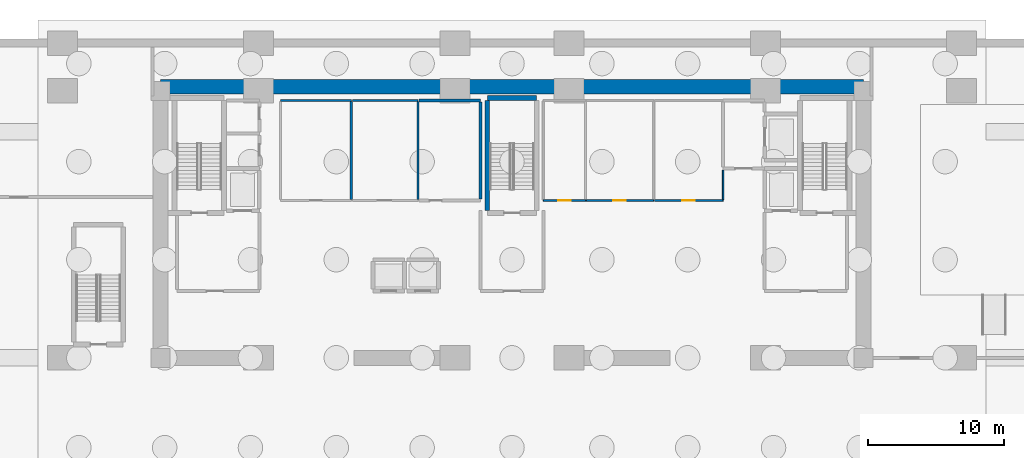
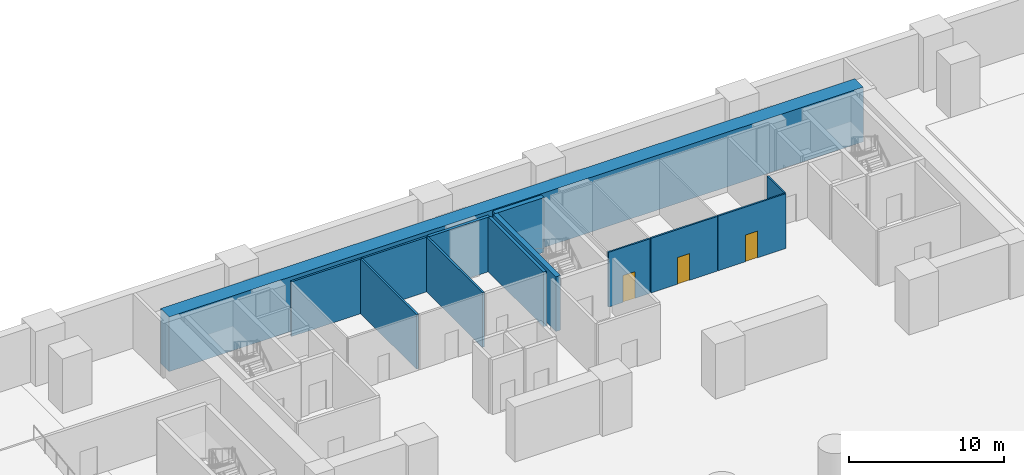
# One storey, part 4 of 10: 13 walls, 3 doors, 3 openings.
"""IFC4 building model written with IfcOpenShell, lengths in metres."""

from ifc_helpers import new_model, si_unit, direction, frame, frame_2d, origin, place, context, subcontext, project, spatial, rectangle, extrude, material, layer, layer_set, type_object, element, fill, save


model = new_model("IFC4")

# Units and contexts
model_context = context("Model", 3, precision=1e-05, world=origin(), true_north=direction((0.0, 1.0)))
body_context = subcontext(model_context, "Body", "Model", "MODEL_VIEW")
ifc_project = project(units=[si_unit("LENGTHUNIT", "METRE"), si_unit("AREAUNIT", "SQUARE_METRE"), si_unit("VOLUMEUNIT", "CUBIC_METRE"), si_unit("PLANEANGLEUNIT", "RADIAN"), si_unit("MASSUNIT", "GRAM", prefix="KILO")], contexts=[model_context])

# Site, building, storey
site_placement = place(None, origin())
site = spatial("IfcSite", under=ifc_project, at=site_placement, CompositionType="ELEMENT")
building_placement = place(site_placement, origin())
building = spatial("IfcBuilding", under=site, at=building_placement, Name="Kaelvorn Grand Hotel", CompositionType="ELEMENT")
storey_placement = place(building_placement, frame((0.0, 0.0, -9.199951171875)))
storey = spatial("IfcBuildingStorey", under=building, at=storey_placement, Name="B02", CompositionType="ELEMENT", Elevation=-9.199951171875)

# Wall
ifc_material_1 = material(Name="Concrete C80/95", Category="concrete")
ifc_layer_1 = layer(ifc_material_1, 1.10009765625)
ifc_layer_set_1 = layer_set([ifc_layer_1], Name="Concrete C80/95")
wall_type_1 = type_object("IfcWallType", Name="WL-CORE-1100-C80", PredefinedType="SHEAR", material=ifc_layer_set_1)
wall_1_placement = place(storey_placement, frame((16.199951171875, 49.300048828125, 0.0), z_axis=(0.0, 0.0, 1.0), x_axis=(1.0, 0.0, 0.0)))
element("IfcWall", 1, at=wall_1_placement, inside=storey, type_object=wall_type_1, Name="B02 Rear-Core North Shear Wall", PredefinedType="SHEAR", context=body_context, shape_type="SweptSolid", body=[
    extrude(rectangle(XDim=51.60009765625, YDim=1.10009765625, at=frame_2d((25.800048828125, 0.0))), origin(), (0.0, 0.0, 1.0), 4.300048828125),
])

# Wall, opening, door
ifc_material_2 = material(Name="Moisture-Resistant Tile & Stud Board")
ifc_layer_2 = layer(ifc_material_2, 0.125)
ifc_layer_set_2 = layer_set([ifc_layer_2], Name="Moisture-Resistant Tile & Stud Board")
wall_type_2 = type_object("IfcWallType", Name="WL-PART-125-WET", PredefinedType="PARTITIONING", material=ifc_layer_set_2)
wall_2_placement = place(storey_placement, frame((44.300048828125, 40.949951171875, 0.0), z_axis=(0.0, 0.0, 1.0), x_axis=(1.0, 0.0, 0.0)))
wall_2 = element("IfcWall", 2, at=wall_2_placement, inside=storey, type_object=wall_type_2, Name="B02 Accessible WC S Partition", PredefinedType="PARTITIONING", context=body_context, shape_type="SweptSolid", body=[
    extrude(rectangle(XDim=3.099853515625, YDim=0.125, at=frame_2d((1.5498046875, 0.0))), origin(), (0.0, 0.0, 1.0), 4.300048828125),
])
opening_1_placement = place(wall_2_placement, frame((1.10009765625, 0.0, 0.0)))
opening_1 = element("IfcOpeningElement", 3, at=opening_1_placement, cuts=wall_2, Name="Opening DI4", PredefinedType="OPENING", context=body_context, shape_type="SweptSolid", body=[
    extrude(rectangle(XDim=0.89990234375, YDim=2.10009765625, at=frame_2d((0.449951171875, 1.050048828125))), frame((0.0, 0.072509765625, 0.0), z_axis=(0.0, -1.0, 0.0), x_axis=(1.0, 0.0, 0.0)), (0.0, 0.0, 1.0), 0.14501953125),
])
ifc_material_3 = material(Name="Timber Veneer Leaf", Category="wood")
door_type = type_object("IfcDoorType", Name="DR-INT-BATH-900x2100", OperationType="NOTDEFINED", PredefinedType="DOOR", material=ifc_material_3)
door_1_placement = place(opening_1_placement, origin())
door_1 = element("IfcDoor", 4, at=door_1_placement, inside=storey, type_object=door_type, Name="B02 Accessible WC Door", OperationType="SINGLE_SWING_LEFT", OverallHeight=2.10009765625, OverallWidth=0.89990234375, PredefinedType="DOOR", context=body_context, shape_type="SweptSolid", body=[
    extrude(rectangle(XDim=0.89990234375, YDim=2.10009765625, at=frame_2d((0.449951171875, 1.050048828125))), frame((0.0, 0.02490234375, 0.0), z_axis=(0.0, -1.0, 0.0), x_axis=(1.0, 0.0, 0.0)), (0.0, 0.0, 1.0), 0.050048828125),
])
fill(opening_1, door_1)

wall_3_placement = place(storey_placement, frame((47.467529296875, 40.949951171875, 0.0), z_axis=(0.0, 0.0, 1.0), x_axis=(1.0, 0.0, 0.0)))
wall_3 = element("IfcWall", 5, at=wall_3_placement, inside=storey, type_object=wall_type_2, Name="B02 Male Staff & Guest Toilets S Partition", PredefinedType="PARTITIONING", context=body_context, shape_type="SweptSolid", body=[
    extrude(rectangle(XDim=4.932373046875, YDim=0.125, at=frame_2d((2.46630859375, 0.0))), origin(), (0.0, 0.0, 1.0), 4.300048828125),
])
opening_2_placement = place(wall_3_placement, frame((1.982421875, 0.0, 0.0)))
opening_2 = element("IfcOpeningElement", 6, at=opening_2_placement, cuts=wall_3, Name="Opening DI4", PredefinedType="OPENING", context=body_context, shape_type="SweptSolid", body=[
    extrude(rectangle(XDim=0.89990234375, YDim=2.10009765625, at=frame_2d((0.449951171875, 1.050048828125))), frame((0.0, 0.072509765625, 0.0), z_axis=(0.0, -1.0, 0.0), x_axis=(1.0, 0.0, 0.0)), (0.0, 0.0, 1.0), 0.14501953125),
])
door_2_placement = place(opening_2_placement, origin())
door_2 = element("IfcDoor", 7, at=door_2_placement, inside=storey, type_object=door_type, Name="B02 Male Staff & Guest Toilets Door", OperationType="SINGLE_SWING_RIGHT", OverallHeight=2.10009765625, OverallWidth=0.89990234375, PredefinedType="DOOR", context=body_context, shape_type="SweptSolid", body=[
    extrude(rectangle(XDim=0.89990234375, YDim=2.10009765625, at=frame_2d((0.449951171875, 1.050048828125))), frame((0.0, 0.02490234375, 0.0), z_axis=(0.0, -1.0, 0.0), x_axis=(1.0, 0.0, 0.0)), (0.0, 0.0, 1.0), 0.050048828125),
])
fill(opening_2, door_2)

wall_4_placement = place(storey_placement, frame((52.467529296875, 40.949951171875, 0.0), z_axis=(0.0, 0.0, 1.0), x_axis=(1.0, 0.0, 0.0)))
wall_4 = element("IfcWall", 8, at=wall_4_placement, inside=storey, type_object=wall_type_2, Name="B02 Female Staff & Guest Toilets S Partition", PredefinedType="PARTITIONING", context=body_context, shape_type="SweptSolid", body=[
    extrude(rectangle(XDim=5.032470703125, YDim=0.125, at=frame_2d((2.51611328125, 0.0))), origin(), (0.0, 0.0, 1.0), 4.300048828125),
])
opening_3_placement = place(wall_4_placement, frame((2.032470703125, 0.0, 0.0)))
opening_3 = element("IfcOpeningElement", 9, at=opening_3_placement, cuts=wall_4, Name="Opening DI4", PredefinedType="OPENING", context=body_context, shape_type="SweptSolid", body=[
    extrude(rectangle(XDim=0.89990234375, YDim=2.10009765625, at=frame_2d((0.449951171875, 1.050048828125))), frame((0.0, 0.072509765625, 0.0), z_axis=(0.0, -1.0, 0.0), x_axis=(1.0, 0.0, 0.0)), (0.0, 0.0, 1.0), 0.14501953125),
])
door_3_placement = place(opening_3_placement, origin())
door_3 = element("IfcDoor", 10, at=door_3_placement, inside=storey, type_object=door_type, Name="B02 Female Staff & Guest Toilets Door", OperationType="SINGLE_SWING_LEFT", OverallHeight=2.10009765625, OverallWidth=0.89990234375, PredefinedType="DOOR", context=body_context, shape_type="SweptSolid", body=[
    extrude(rectangle(XDim=0.89990234375, YDim=2.10009765625, at=frame_2d((0.449951171875, 1.050048828125))), frame((0.0, 0.02490234375, 0.0), z_axis=(0.0, -1.0, 0.0), x_axis=(1.0, 0.0, 0.0)), (0.0, 0.0, 1.0), 0.050048828125),
])
fill(opening_3, door_3)

# Walls
wall_5_placement = place(storey_placement, frame((57.5, 41.017578125, 0.0), z_axis=(0.0, 0.0, 1.0), x_axis=(0.0, 1.0, 0.0)))
element("IfcWall", 11, at=wall_5_placement, inside=storey, type_object=wall_type_2, Name="B02 Female Staff & Guest Toilets E Partition", PredefinedType="PARTITIONING", context=body_context, shape_type="SweptSolid", body=[
    extrude(rectangle(XDim=2.16748046875, YDim=0.125, at=frame_2d((1.083740234375, 0.0))), origin(), (0.0, 0.0, 1.0), 4.300048828125),
])
ifc_material_4 = material(Name="Acoustic Gypsum & Stud Partition")
ifc_layer_3 = layer(ifc_material_4, 0.14990234375)
ifc_layer_set_3 = layer_set([ifc_layer_3], Name="Acoustic Gypsum & Stud Partition")
wall_type_3 = type_object("IfcWallType", Name="WL-PART-150-EI60", PredefinedType="PARTITIONING", material=ifc_layer_set_3)
wall_6_placement = place(storey_placement, frame((25.0, 48.300048828125, 0.0), z_axis=(0.0, 0.0, 1.0), x_axis=(1.0, 0.0, 0.0)))
element("IfcWall", 12, at=wall_6_placement, inside=storey, type_object=wall_type_3, Name="B02 Central Janitor & Linen Store N Partition", PredefinedType="PARTITIONING", context=body_context, shape_type="SweptSolid", body=[
    extrude(rectangle(XDim=5.199951171875, YDim=0.14990234375, at=frame_2d((2.60009765625, 0.0))), origin(), (0.0, 0.0, 1.0), 4.300048828125),
])
wall_7_placement = place(storey_placement, frame((30.199951171875, 41.030029296875, 0.0), z_axis=(0.0, 0.0, 1.0), x_axis=(0.0, 1.0, 0.0)))
element("IfcWall", 13, at=wall_7_placement, inside=storey, type_object=wall_type_3, Name="B02 Central Janitor & Linen Store E Partition", PredefinedType="PARTITIONING", context=body_context, shape_type="SweptSolid", body=[
    extrude(rectangle(XDim=7.18994140625, YDim=0.14990234375, at=frame_2d((3.594970703125, 0.0))), origin(), (0.0, 0.0, 1.0), 4.300048828125),
])
wall_8_placement = place(storey_placement, frame((30.280029296875, 48.300048828125, 0.0), z_axis=(0.0, 0.0, 1.0), x_axis=(1.0, 0.0, 0.0)))
element("IfcWall", 14, at=wall_8_placement, inside=storey, type_object=wall_type_3, Name="B02 Room Service Servery Pantry N Partition", PredefinedType="PARTITIONING", context=body_context, shape_type="SweptSolid", body=[
    extrude(rectangle(XDim=4.820068359375, YDim=0.14990234375, at=frame_2d((2.41015625, 0.0))), origin(), (0.0, 0.0, 1.0), 4.300048828125),
])
wall_9_placement = place(storey_placement, frame((35.10009765625, 41.030029296875, 0.0), z_axis=(0.0, 0.0, 1.0), x_axis=(0.0, 1.0, 0.0)))
element("IfcWall", 15, at=wall_9_placement, inside=storey, type_object=wall_type_3, Name="B02 Room Service Servery Pantry E Partition", PredefinedType="PARTITIONING", context=body_context, shape_type="SweptSolid", body=[
    extrude(rectangle(XDim=7.18994140625, YDim=0.14990234375, at=frame_2d((3.594970703125, 0.0))), origin(), (0.0, 0.0, 1.0), 4.300048828125),
])
ifc_material_5 = material(Name="Concrete C40/50", Category="concrete")
ifc_layer_4 = layer(ifc_material_5, 0.219970703125)
ifc_layer_set_4 = layer_set([ifc_layer_4], Name="Concrete C40/50")
wall_type_4 = type_object("IfcWallType", Name="WL-PART-220-EI120", PredefinedType="PARTITIONING", material=ifc_layer_set_4)
wall_10_placement = place(storey_placement, frame((35.179931640625, 48.300048828125, 0.0), z_axis=(0.0, 0.0, 1.0), x_axis=(1.0, 0.0, 0.0)))
element("IfcWall", 16, at=wall_10_placement, inside=storey, type_object=wall_type_4, Name="B02 Floor Electrical Switchroom N Partition", PredefinedType="PARTITIONING", context=body_context, shape_type="SweptSolid", body=[
    extrude(rectangle(XDim=4.52001953125, YDim=0.219970703125, at=frame_2d((2.260009765625, 0.0))), origin(), (0.0, 0.0, 1.0), 4.300048828125),
])
wall_11_placement = place(storey_placement, frame((39.699951171875, 41.06494140625, 0.0), z_axis=(0.0, 0.0, 1.0), x_axis=(0.0, 1.0, 0.0)))
element("IfcWall", 17, at=wall_11_placement, inside=storey, type_object=wall_type_4, Name="B02 Floor Electrical Switchroom E Partition", PredefinedType="PARTITIONING", context=body_context, shape_type="SweptSolid", body=[
    extrude(rectangle(XDim=7.1201171875, YDim=0.219970703125, at=frame_2d((3.56005859375, 0.0))), origin(), (0.0, 0.0, 1.0), 4.300048828125),
])
ifc_material_6 = material(Name="Concrete C60/75", Category="concrete")
ifc_layer_5 = layer(ifc_material_6, 0.35009765625)
ifc_layer_set_5 = layer_set([ifc_layer_5], Name="Concrete C60/75")
wall_type_5 = type_object("IfcWallType", Name="WL-SHAFT-350-C60", PredefinedType="SHEAR", material=ifc_layer_set_5)
wall_12_placement = place(storey_placement, frame((40.18505859375, 48.47509765625, 0.0), z_axis=(0.0, 0.0, 1.0), x_axis=(1.0, 0.0, 0.0)))
element("IfcWall", 18, at=wall_12_placement, inside=storey, type_object=wall_type_5, Name="B02 ST2 Stair Shaft North Wall", PredefinedType="SHEAR", context=body_context, shape_type="SweptSolid", body=[
    extrude(rectangle(XDim=3.6298828125, YDim=0.35009765625, at=frame_2d((1.81494140625, 0.0))), origin(), (0.0, 0.0, 1.0), 4.300048828125),
])
wall_13_placement = place(storey_placement, frame((40.18505859375, 40.205078125, 0.0), z_axis=(0.0, 0.0, 1.0), x_axis=(0.0, 1.0, 0.0)))
element("IfcWall", 19, at=wall_13_placement, inside=storey, type_object=wall_type_5, Name="B02 ST2 Stair Shaft West Wall", PredefinedType="SHEAR", context=body_context, shape_type="SweptSolid", body=[
    extrude(rectangle(XDim=8.08984375, YDim=0.35009765625, at=frame_2d((4.044921875, 0.0))), origin(), (0.0, 0.0, 1.0), 4.300048828125),
])

save(model, "model.ifc")
